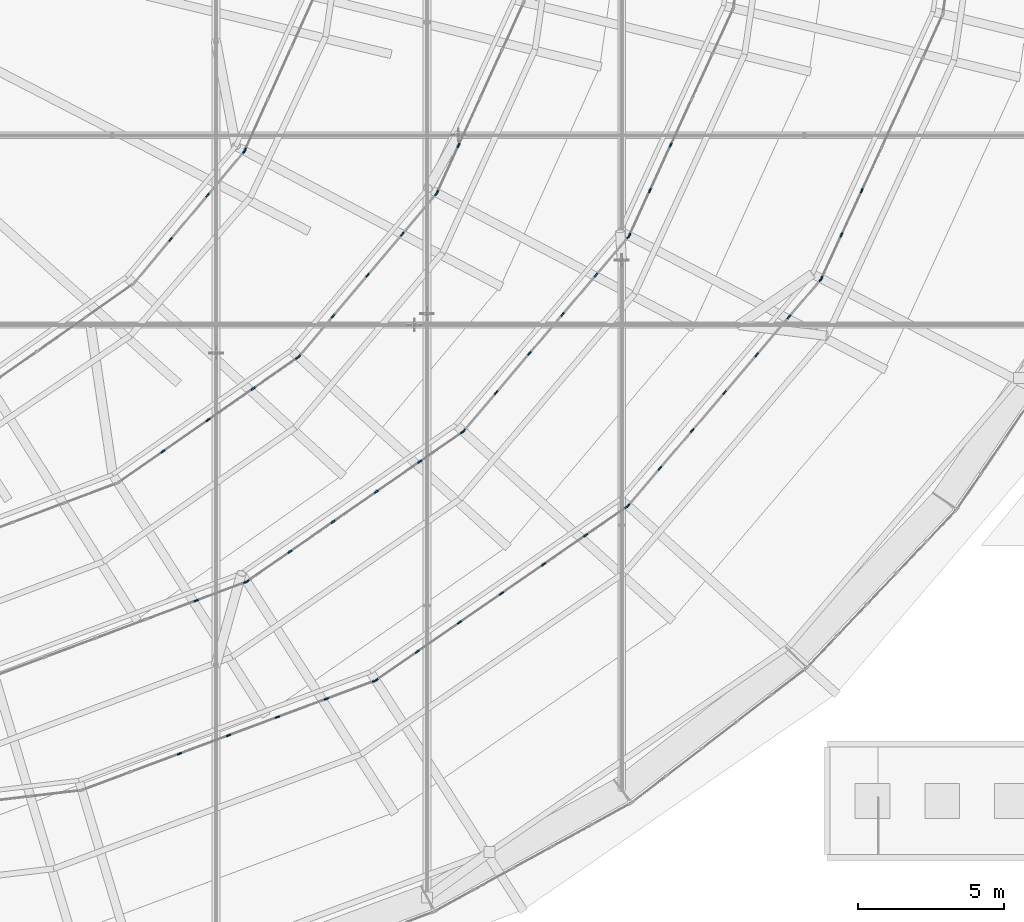
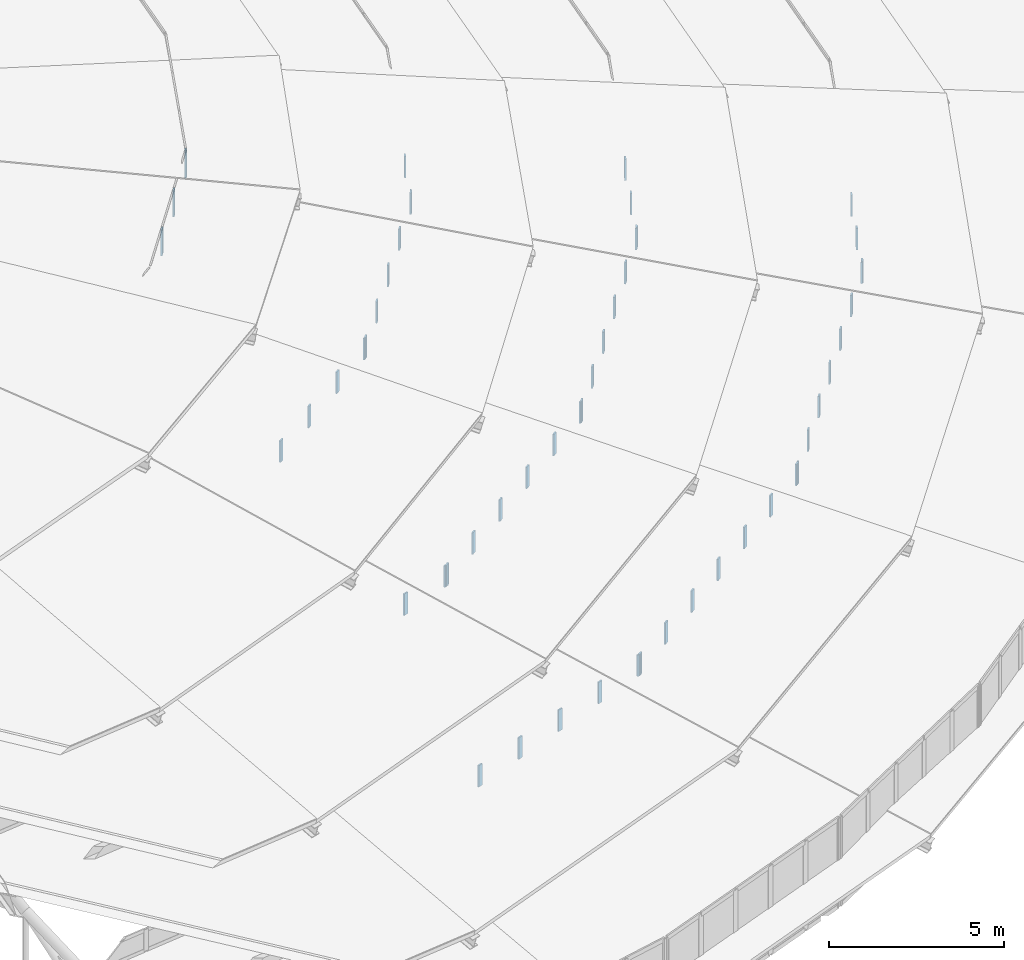
# One storey, part 132 of 173: 54 members, 13 elements without a shape of their own.
"""IFC4 building model written with IfcOpenShell, lengths in metres."""

from ifc_helpers import new_model, si_unit, direction, frame, origin, origin_2d, place, context, subcontext, project, spatial, rectangle, extrude, material, material_profile, profile_set, type_object, element, aggregate, save


model = new_model("IFC4")

# Units and contexts
model_context = context("Model", 3, precision=1e-05, world=origin(), true_north=direction((0.0, 1.0)))
body_context = subcontext(model_context, "Body", "Model", "MODEL_VIEW")
ifc_project = project(units=[si_unit("LENGTHUNIT", "METRE"), si_unit("AREAUNIT", "SQUARE_METRE"), si_unit("VOLUMEUNIT", "CUBIC_METRE"), si_unit("PLANEANGLEUNIT", "RADIAN"), si_unit("MASSUNIT", "GRAM", prefix="KILO")], contexts=[model_context])

# Site, building, storey
site_placement = place(None, origin())
site = spatial("IfcSite", under=ifc_project, at=site_placement, CompositionType="ELEMENT")
building_placement = place(site_placement, origin())
building = spatial("IfcBuilding", under=site, at=building_placement, Name="Glasvene Arena", CompositionType="ELEMENT")
storey_placement = place(building_placement, frame((0.0, 0.0, 28.800048828125)))
storey = spatial("IfcBuildingStorey", under=building, at=storey_placement, Name="RF", CompositionType="ELEMENT", Elevation=28.800048828125)

# Curtain wall, members
ifc_material_1 = material(Name="Low-emissivity laminated double glazing", Category="glass")
curtain_wall_type_1 = type_object("IfcCurtainWallType", Name="CW-PET1-1077x75", PredefinedType="USERDEFINED", material=ifc_material_1)
curtain_wall_1_placement = place(storey_placement, frame((102.83154296875, 36.584716796875, 0.0)))
curtain_wall_1 = element("IfcCurtainWall", 1, at=curtain_wall_1_placement, inside=storey, type_object=curtain_wall_type_1, Name="Petal ring 1-2 clerestory curtain wall 20", ObjectType="CURTAIN WALL", PredefinedType="USERDEFINED")
ifc_material_2 = material(Name="Anodised architectural aluminium", Category="aluminium")
ifc_material_profile = material_profile(ifc_material_2, rectangle(XDim=0.050048828125, YDim=0.159912109375, at=origin_2d()), Name="ALU MULLION 50x160")
ifc_profile_set = profile_set([ifc_material_profile], Name="Anodised architectural aluminium")
member_type = type_object("IfcMemberType", Name="CW-MUL-150", PredefinedType="MULLION", material=ifc_profile_set)
member_1_placement = place(storey_placement, frame((106.196044921875, 37.840087890625, 2.579833984375), z_axis=(0.0, 0.0, 1.0), x_axis=(-0.349591006176, 0.936902411354, 0.0)))
member_1 = element("IfcMember", 2, at=member_1_placement, type_object=member_type, Name="CW-085 mullion 3", PredefinedType="MULLION", context=body_context, shape_type="SweptSolid", body=[
    extrude(rectangle(XDim=0.050048828125, YDim=0.159912109375, at=origin_2d()), origin(), (0.0, 0.0, 1.0), 0.75),
])
member_2_placement = place(storey_placement, frame((107.87841796875, 38.4677734375, 2.579833984375), z_axis=(0.0, 0.0, 1.0), x_axis=(-0.349591006176, 0.936902411354, 0.0)))
member_2 = element("IfcMember", 3, at=member_2_placement, type_object=member_type, Name="CW-085 mullion 4", PredefinedType="MULLION", context=body_context, shape_type="SweptSolid", body=[
    extrude(rectangle(XDim=0.050048828125, YDim=0.159912109375, at=origin_2d()), origin(), (0.0, 0.0, 1.0), 0.75),
])
member_3_placement = place(storey_placement, frame((109.560546875, 39.095458984375, 2.579833984375), z_axis=(0.0, 0.0, 1.0), x_axis=(-0.349591006176, 0.936902411354, 0.0)))
member_3 = element("IfcMember", 4, at=member_3_placement, type_object=member_type, Name="CW-085 mullion 5", PredefinedType="MULLION", context=body_context, shape_type="SweptSolid", body=[
    extrude(rectangle(XDim=0.050048828125, YDim=0.159912109375, at=origin_2d()), origin(), (0.0, 0.0, 1.0), 0.75),
])
member_4_placement = place(storey_placement, frame((111.24267578125, 39.72314453125, 2.579833984375), z_axis=(0.0, 0.0, 1.0), x_axis=(-0.349591006176, 0.936902411354, 0.0)))
member_4 = element("IfcMember", 5, at=member_4_placement, type_object=member_type, Name="CW-085 mullion 6", PredefinedType="MULLION", context=body_context, shape_type="SweptSolid", body=[
    extrude(rectangle(XDim=0.050048828125, YDim=0.159912109375, at=origin_2d()), origin(), (0.0, 0.0, 1.0), 0.75),
])
member_5_placement = place(storey_placement, frame((112.901611328125, 40.342041015625, 2.579833984375), z_axis=(0.0, 0.0, 1.0), x_axis=(-0.349591006176, 0.936902411354, 0.0)))
member_5 = element("IfcMember", 6, at=member_5_placement, type_object=member_type, Name="CW-085 mullion 7", PredefinedType="MULLION", context=body_context, shape_type="SweptSolid", body=[
    extrude(rectangle(XDim=0.050048828125, YDim=0.159912109375, at=origin_2d()), origin(), (0.0, 0.0, 1.0), 0.75),
])
aggregate(curtain_wall_1, [member_1, member_2, member_3, member_4, member_5])

curtain_wall_type_2 = type_object("IfcCurtainWallType", Name="CW-PET1-1054x75", PredefinedType="USERDEFINED", material=ifc_material_1)
curtain_wall_2_placement = place(storey_placement, frame((112.925048828125, 40.350830078125, 0.0)))
curtain_wall_2 = element("IfcCurtainWall", 7, at=curtain_wall_2_placement, inside=storey, type_object=curtain_wall_type_2, Name="Petal ring 1-2 clerestory curtain wall 21", ObjectType="CURTAIN WALL", PredefinedType="USERDEFINED")
member_6_placement = place(storey_placement, frame((112.945556640625, 40.364990234375, 2.579833984375), z_axis=(0.0, 0.0, 1.0), x_axis=(-0.568619089886, 0.822600954666, 0.0)))
member_6 = element("IfcMember", 8, at=member_6_placement, type_object=member_type, Name="CW-084 mullion 1", PredefinedType="MULLION", context=body_context, shape_type="SweptSolid", body=[
    extrude(rectangle(XDim=0.050048828125, YDim=0.159912109375, at=origin_2d()), origin(), (0.0, 0.0, 1.0), 0.75),
])
member_7_placement = place(storey_placement, frame((114.36962890625, 41.349365234375, 2.579833984375), z_axis=(0.0, 0.0, 1.0), x_axis=(-0.568619089886, 0.822600954666, 0.0)))
member_7 = element("IfcMember", 9, at=member_7_placement, type_object=member_type, Name="CW-084 mullion 2", PredefinedType="MULLION", context=body_context, shape_type="SweptSolid", body=[
    extrude(rectangle(XDim=0.050048828125, YDim=0.159912109375, at=origin_2d()), origin(), (0.0, 0.0, 1.0), 0.75),
])
member_8_placement = place(storey_placement, frame((115.814208984375, 42.347900390625, 2.579833984375), z_axis=(0.0, 0.0, 1.0), x_axis=(-0.568619089886, 0.822600954666, 0.0)))
member_8 = element("IfcMember", 10, at=member_8_placement, type_object=member_type, Name="CW-084 mullion 3", PredefinedType="MULLION", context=body_context, shape_type="SweptSolid", body=[
    extrude(rectangle(XDim=0.050048828125, YDim=0.159912109375, at=origin_2d()), origin(), (0.0, 0.0, 1.0), 0.75),
])
member_9_placement = place(storey_placement, frame((117.2587890625, 43.346435546875, 2.579833984375), z_axis=(0.0, 0.0, 1.0), x_axis=(-0.568619089886, 0.822600954666, 0.0)))
member_9 = element("IfcMember", 11, at=member_9_placement, type_object=member_type, Name="CW-084 mullion 4", PredefinedType="MULLION", context=body_context, shape_type="SweptSolid", body=[
    extrude(rectangle(XDim=0.050048828125, YDim=0.159912109375, at=origin_2d()), origin(), (0.0, 0.0, 1.0), 0.75),
])
member_10_placement = place(storey_placement, frame((118.703369140625, 44.344970703125, 2.579833984375), z_axis=(0.0, 0.0, 1.0), x_axis=(-0.568619089886, 0.822600954666, 0.0)))
member_10 = element("IfcMember", 12, at=member_10_placement, type_object=member_type, Name="CW-084 mullion 5", PredefinedType="MULLION", context=body_context, shape_type="SweptSolid", body=[
    extrude(rectangle(XDim=0.050048828125, YDim=0.159912109375, at=origin_2d()), origin(), (0.0, 0.0, 1.0), 0.75),
])
member_11_placement = place(storey_placement, frame((120.14794921875, 45.343505859375, 2.579833984375), z_axis=(0.0, 0.0, 1.0), x_axis=(-0.568619089886, 0.822600954666, 0.0)))
member_11 = element("IfcMember", 13, at=member_11_placement, type_object=member_type, Name="CW-084 mullion 6", PredefinedType="MULLION", context=body_context, shape_type="SweptSolid", body=[
    extrude(rectangle(XDim=0.050048828125, YDim=0.159912109375, at=origin_2d()), origin(), (0.0, 0.0, 1.0), 0.75),
])
member_12_placement = place(storey_placement, frame((121.57177734375, 46.327880859375, 2.579833984375), z_axis=(0.0, 0.0, 1.0), x_axis=(-0.568619089886, 0.822600954666, 0.0)))
member_12 = element("IfcMember", 14, at=member_12_placement, type_object=member_type, Name="CW-084 mullion 7", PredefinedType="MULLION", context=body_context, shape_type="SweptSolid", body=[
    extrude(rectangle(XDim=0.050048828125, YDim=0.159912109375, at=origin_2d()), origin(), (0.0, 0.0, 1.0), 0.75),
])
aggregate(curtain_wall_2, [member_6, member_7, member_8, member_9, member_10, member_11, member_12])

curtain_wall_type_3 = type_object("IfcCurtainWallType", Name="CW-PET1-1026x75", PredefinedType="USERDEFINED", material=ifc_material_1)
curtain_wall_3_placement = place(storey_placement, frame((121.59228515625, 46.342041015625, 0.0)))
curtain_wall_3 = element("IfcCurtainWall", 15, at=curtain_wall_3_placement, inside=storey, type_object=curtain_wall_type_3, Name="Petal ring 1-2 clerestory curtain wall 22", ObjectType="CURTAIN WALL", PredefinedType="USERDEFINED")
member_13_placement = place(storey_placement, frame((121.608642578125, 46.361083984375, 2.579833984375), z_axis=(0.0, 0.0, 1.0), x_axis=(-0.761261234149, 0.648445320272, 0.0)))
member_13 = element("IfcMember", 16, at=member_13_placement, type_object=member_type, Name="CW-083 mullion 1", PredefinedType="MULLION", context=body_context, shape_type="SweptSolid", body=[
    extrude(rectangle(XDim=0.050048828125, YDim=0.159912109375, at=origin_2d()), origin(), (0.0, 0.0, 1.0), 0.75),
])
member_14_placement = place(storey_placement, frame((122.700927734375, 47.643310546875, 2.579833984375), z_axis=(0.0, 0.0, 1.0), x_axis=(-0.761261234149, 0.648445320272, 0.0)))
member_14 = element("IfcMember", 17, at=member_14_placement, type_object=member_type, Name="CW-083 mullion 2", PredefinedType="MULLION", context=body_context, shape_type="SweptSolid", body=[
    extrude(rectangle(XDim=0.050048828125, YDim=0.159912109375, at=origin_2d()), origin(), (0.0, 0.0, 1.0), 0.75),
])
member_15_placement = place(storey_placement, frame((123.809326171875, 48.94482421875, 2.579833984375), z_axis=(0.0, 0.0, 1.0), x_axis=(-0.761261234149, 0.648445320272, 0.0)))
member_15 = element("IfcMember", 18, at=member_15_placement, type_object=member_type, Name="CW-083 mullion 3", PredefinedType="MULLION", context=body_context, shape_type="SweptSolid", body=[
    extrude(rectangle(XDim=0.050048828125, YDim=0.159912109375, at=origin_2d()), origin(), (0.0, 0.0, 1.0), 0.75),
])
member_16_placement = place(storey_placement, frame((124.917724609375, 50.24609375, 2.579833984375), z_axis=(0.0, 0.0, 1.0), x_axis=(-0.761261234149, 0.648445320272, 0.0)))
member_16 = element("IfcMember", 19, at=member_16_placement, type_object=member_type, Name="CW-083 mullion 4", PredefinedType="MULLION", context=body_context, shape_type="SweptSolid", body=[
    extrude(rectangle(XDim=0.050048828125, YDim=0.159912109375, at=origin_2d()), origin(), (0.0, 0.0, 1.0), 0.75),
])
member_17_placement = place(storey_placement, frame((126.0263671875, 51.54736328125, 2.579833984375), z_axis=(0.0, 0.0, 1.0), x_axis=(-0.761261234149, 0.648445320272, 0.0)))
member_17 = element("IfcMember", 20, at=member_17_placement, type_object=member_type, Name="CW-083 mullion 5", PredefinedType="MULLION", context=body_context, shape_type="SweptSolid", body=[
    extrude(rectangle(XDim=0.050048828125, YDim=0.159912109375, at=origin_2d()), origin(), (0.0, 0.0, 1.0), 0.75),
])
member_18_placement = place(storey_placement, frame((127.134765625, 52.8486328125, 2.579833984375), z_axis=(0.0, 0.0, 1.0), x_axis=(-0.761261234149, 0.648445320272, 0.0)))
member_18 = element("IfcMember", 21, at=member_18_placement, type_object=member_type, Name="CW-083 mullion 6", PredefinedType="MULLION", context=body_context, shape_type="SweptSolid", body=[
    extrude(rectangle(XDim=0.050048828125, YDim=0.159912109375, at=origin_2d()), origin(), (0.0, 0.0, 1.0), 0.75),
])
member_19_placement = place(storey_placement, frame((128.22705078125, 54.130859375, 2.579833984375), z_axis=(0.0, 0.0, 1.0), x_axis=(-0.761261234149, 0.648445320272, 0.0)))
member_19 = element("IfcMember", 22, at=member_19_placement, type_object=member_type, Name="CW-083 mullion 7", PredefinedType="MULLION", context=body_context, shape_type="SweptSolid", body=[
    extrude(rectangle(XDim=0.050048828125, YDim=0.159912109375, at=origin_2d()), origin(), (0.0, 0.0, 1.0), 0.75),
])
aggregate(curtain_wall_3, [member_13, member_14, member_15, member_16, member_17, member_18, member_19])

curtain_wall_type_4 = type_object("IfcCurtainWallType", Name="CW-PET1-1001x75", PredefinedType="USERDEFINED", material=ifc_material_1)
curtain_wall_4_placement = place(storey_placement, frame((128.2431640625, 54.14990234375, 0.0)))
curtain_wall_4 = element("IfcCurtainWall", 23, at=curtain_wall_4_placement, inside=storey, type_object=curtain_wall_type_4, Name="Petal ring 1-2 clerestory curtain wall 23", ObjectType="CURTAIN WALL", PredefinedType="USERDEFINED")
member_20_placement = place(storey_placement, frame((128.253662109375, 54.172607421875, 2.579833984375), z_axis=(0.0, 0.0, 1.0), x_axis=(-0.908556831634, 0.41776127596, 0.0)))
member_20 = element("IfcMember", 24, at=member_20_placement, type_object=member_type, Name="CW-082 mullion 1", PredefinedType="MULLION", context=body_context, shape_type="SweptSolid", body=[
    extrude(rectangle(XDim=0.050048828125, YDim=0.159912109375, at=origin_2d()), origin(), (0.0, 0.0, 1.0), 0.75),
])
member_21_placement = place(storey_placement, frame((128.93994140625, 55.66552734375, 2.579833984375), z_axis=(0.0, 0.0, 1.0), x_axis=(-0.908556831634, 0.41776127596, 0.0)))
member_21 = element("IfcMember", 25, at=member_21_placement, type_object=member_type, Name="CW-082 mullion 2", PredefinedType="MULLION", context=body_context, shape_type="SweptSolid", body=[
    extrude(rectangle(XDim=0.050048828125, YDim=0.159912109375, at=origin_2d()), origin(), (0.0, 0.0, 1.0), 0.75),
])
member_22_placement = place(storey_placement, frame((129.63671875, 57.180908203125, 2.579833984375), z_axis=(0.0, 0.0, 1.0), x_axis=(-0.908556831634, 0.41776127596, 0.0)))
member_22 = element("IfcMember", 26, at=member_22_placement, type_object=member_type, Name="CW-082 mullion 3", PredefinedType="MULLION", context=body_context, shape_type="SweptSolid", body=[
    extrude(rectangle(XDim=0.050048828125, YDim=0.159912109375, at=origin_2d()), origin(), (0.0, 0.0, 1.0), 0.75),
])
aggregate(curtain_wall_4, [member_20, member_21, member_22])

curtain_wall_type_5 = type_object("IfcCurtainWallType", Name="CW-PET2-925x75", PredefinedType="USERDEFINED", material=ifc_material_1)
curtain_wall_5_placement = place(storey_placement, frame((99.841552734375, 40.505615234375, 0.0)))
curtain_wall_5 = element("IfcCurtainWall", 27, at=curtain_wall_5_placement, inside=storey, type_object=curtain_wall_type_5, Name="Petal ring 2-3 clerestory curtain wall 20", ObjectType="CURTAIN WALL", PredefinedType="USERDEFINED")
member_23_placement = place(storey_placement, frame((106.768310546875, 43.09912109375, 5.179931640625), z_axis=(0.0, 0.0, 1.0), x_axis=(-0.350639776971, 0.936510409342, 0.0)))
member_23 = element("IfcMember", 28, at=member_23_placement, type_object=member_type, Name="CW-091 mullion 5", PredefinedType="MULLION", context=body_context, shape_type="SweptSolid", body=[
    extrude(rectangle(XDim=0.050048828125, YDim=0.159912109375, at=origin_2d()), origin(), (0.0, 0.0, 1.0), 0.75),
])
member_24_placement = place(storey_placement, frame((108.4765625, 43.73876953125, 5.179931640625), z_axis=(0.0, 0.0, 1.0), x_axis=(-0.350639776971, 0.936510409342, 0.0)))
member_24 = element("IfcMember", 29, at=member_24_placement, type_object=member_type, Name="CW-091 mullion 6", PredefinedType="MULLION", context=body_context, shape_type="SweptSolid", body=[
    extrude(rectangle(XDim=0.050048828125, YDim=0.159912109375, at=origin_2d()), origin(), (0.0, 0.0, 1.0), 0.75),
])
aggregate(curtain_wall_5, [member_23, member_24])

curtain_wall_type_6 = type_object("IfcCurtainWallType", Name="CW-PET2-905x75", PredefinedType="USERDEFINED", material=ifc_material_1)
curtain_wall_6_placement = place(storey_placement, frame((108.5, 43.74755859375, 0.0)))
curtain_wall_6 = element("IfcCurtainWall", 30, at=curtain_wall_6_placement, inside=storey, type_object=curtain_wall_type_6, Name="Petal ring 2-3 clerestory curtain wall 21", ObjectType="CURTAIN WALL", PredefinedType="USERDEFINED")
member_25_placement = place(storey_placement, frame((108.5205078125, 43.76171875, 5.179931640625), z_axis=(0.0, 0.0, 1.0), x_axis=(-0.569921225109, 0.821699335018, 0.0)))
member_25 = element("IfcMember", 31, at=member_25_placement, type_object=member_type, Name="CW-090 mullion 1", PredefinedType="MULLION", context=body_context, shape_type="SweptSolid", body=[
    extrude(rectangle(XDim=0.050048828125, YDim=0.159912109375, at=origin_2d()), origin(), (0.0, 0.0, 1.0), 0.75),
])
member_26_placement = place(storey_placement, frame((109.987060546875, 44.77880859375, 5.179931640625), z_axis=(0.0, 0.0, 1.0), x_axis=(-0.569921225109, 0.821699335018, 0.0)))
member_26 = element("IfcMember", 32, at=member_26_placement, type_object=member_type, Name="CW-090 mullion 2", PredefinedType="MULLION", context=body_context, shape_type="SweptSolid", body=[
    extrude(rectangle(XDim=0.050048828125, YDim=0.159912109375, at=origin_2d()), origin(), (0.0, 0.0, 1.0), 0.75),
])
member_27_placement = place(storey_placement, frame((111.47412109375, 45.810302734375, 5.179931640625), z_axis=(0.0, 0.0, 1.0), x_axis=(-0.569921225109, 0.821699335018, 0.0)))
member_27 = element("IfcMember", 33, at=member_27_placement, type_object=member_type, Name="CW-090 mullion 3", PredefinedType="MULLION", context=body_context, shape_type="SweptSolid", body=[
    extrude(rectangle(XDim=0.050048828125, YDim=0.159912109375, at=origin_2d()), origin(), (0.0, 0.0, 1.0), 0.75),
])
member_28_placement = place(storey_placement, frame((112.961181640625, 46.841552734375, 5.179931640625), z_axis=(0.0, 0.0, 1.0), x_axis=(-0.569921225109, 0.821699335018, 0.0)))
member_28 = element("IfcMember", 34, at=member_28_placement, type_object=member_type, Name="CW-090 mullion 4", PredefinedType="MULLION", context=body_context, shape_type="SweptSolid", body=[
    extrude(rectangle(XDim=0.050048828125, YDim=0.159912109375, at=origin_2d()), origin(), (0.0, 0.0, 1.0), 0.75),
])
member_29_placement = place(storey_placement, frame((114.447998046875, 47.873046875, 5.179931640625), z_axis=(0.0, 0.0, 1.0), x_axis=(-0.569921225109, 0.821699335018, 0.0)))
member_29 = element("IfcMember", 35, at=member_29_placement, type_object=member_type, Name="CW-090 mullion 5", PredefinedType="MULLION", context=body_context, shape_type="SweptSolid", body=[
    extrude(rectangle(XDim=0.050048828125, YDim=0.159912109375, at=origin_2d()), origin(), (0.0, 0.0, 1.0), 0.75),
])
member_30_placement = place(storey_placement, frame((115.91455078125, 48.89013671875, 5.179931640625), z_axis=(0.0, 0.0, 1.0), x_axis=(-0.569921225109, 0.821699335018, 0.0)))
member_30 = element("IfcMember", 36, at=member_30_placement, type_object=member_type, Name="CW-090 mullion 6", PredefinedType="MULLION", context=body_context, shape_type="SweptSolid", body=[
    extrude(rectangle(XDim=0.050048828125, YDim=0.159912109375, at=origin_2d()), origin(), (0.0, 0.0, 1.0), 0.75),
])
aggregate(curtain_wall_6, [member_25, member_26, member_27, member_28, member_29, member_30])

curtain_wall_type_7 = type_object("IfcCurtainWallType", Name="CW-PET2-882x75", PredefinedType="USERDEFINED", material=ifc_material_1)
curtain_wall_7_placement = place(storey_placement, frame((115.93505859375, 48.904296875, 0.0)))
curtain_wall_7 = element("IfcCurtainWall", 37, at=curtain_wall_7_placement, inside=storey, type_object=curtain_wall_type_7, Name="Petal ring 2-3 clerestory curtain wall 22", ObjectType="CURTAIN WALL", PredefinedType="USERDEFINED")
member_31_placement = place(storey_placement, frame((115.951171875, 48.92333984375, 5.179931640625), z_axis=(0.0, 0.0, 1.0), x_axis=(-0.762348353305, 0.647166893632, 0.0)))
member_31 = element("IfcMember", 38, at=member_31_placement, type_object=member_type, Name="CW-089 mullion 1", PredefinedType="MULLION", context=body_context, shape_type="SweptSolid", body=[
    extrude(rectangle(XDim=0.050048828125, YDim=0.159912109375, at=origin_2d()), origin(), (0.0, 0.0, 1.0), 0.75),
])
member_32_placement = place(storey_placement, frame((117.076171875, 50.24853515625, 5.179931640625), z_axis=(0.0, 0.0, 1.0), x_axis=(-0.762348353305, 0.647166893632, 0.0)))
member_32 = element("IfcMember", 39, at=member_32_placement, type_object=member_type, Name="CW-089 mullion 2", PredefinedType="MULLION", context=body_context, shape_type="SweptSolid", body=[
    extrude(rectangle(XDim=0.050048828125, YDim=0.159912109375, at=origin_2d()), origin(), (0.0, 0.0, 1.0), 0.75),
])
member_33_placement = place(storey_placement, frame((118.21728515625, 51.592529296875, 5.179931640625), z_axis=(0.0, 0.0, 1.0), x_axis=(-0.762348353305, 0.647166893632, 0.0)))
member_33 = element("IfcMember", 40, at=member_33_placement, type_object=member_type, Name="CW-089 mullion 3", PredefinedType="MULLION", context=body_context, shape_type="SweptSolid", body=[
    extrude(rectangle(XDim=0.050048828125, YDim=0.159912109375, at=origin_2d()), origin(), (0.0, 0.0, 1.0), 0.75),
])
member_34_placement = place(storey_placement, frame((119.358154296875, 52.936767578125, 5.179931640625), z_axis=(0.0, 0.0, 1.0), x_axis=(-0.762348353305, 0.647166893632, 0.0)))
member_34 = element("IfcMember", 41, at=member_34_placement, type_object=member_type, Name="CW-089 mullion 4", PredefinedType="MULLION", context=body_context, shape_type="SweptSolid", body=[
    extrude(rectangle(XDim=0.050048828125, YDim=0.159912109375, at=origin_2d()), origin(), (0.0, 0.0, 1.0), 0.75),
])
member_35_placement = place(storey_placement, frame((120.499267578125, 54.28076171875, 5.179931640625), z_axis=(0.0, 0.0, 1.0), x_axis=(-0.762348353305, 0.647166893632, 0.0)))
member_35 = element("IfcMember", 42, at=member_35_placement, type_object=member_type, Name="CW-089 mullion 5", PredefinedType="MULLION", context=body_context, shape_type="SweptSolid", body=[
    extrude(rectangle(XDim=0.050048828125, YDim=0.159912109375, at=origin_2d()), origin(), (0.0, 0.0, 1.0), 0.75),
])
member_36_placement = place(storey_placement, frame((121.6240234375, 55.60595703125, 5.179931640625), z_axis=(0.0, 0.0, 1.0), x_axis=(-0.762348353305, 0.647166893632, 0.0)))
member_36 = element("IfcMember", 43, at=member_36_placement, type_object=member_type, Name="CW-089 mullion 6", PredefinedType="MULLION", context=body_context, shape_type="SweptSolid", body=[
    extrude(rectangle(XDim=0.050048828125, YDim=0.159912109375, at=origin_2d()), origin(), (0.0, 0.0, 1.0), 0.75),
])
aggregate(curtain_wall_7, [member_31, member_32, member_33, member_34, member_35, member_36])

curtain_wall_type_8 = type_object("IfcCurtainWallType", Name="CW-PET2-861x75", PredefinedType="USERDEFINED", material=ifc_material_1)
curtain_wall_8_placement = place(storey_placement, frame((121.640380859375, 55.625, 0.0)))
curtain_wall_8 = element("IfcCurtainWall", 44, at=curtain_wall_8_placement, inside=storey, type_object=curtain_wall_type_8, Name="Petal ring 2-3 clerestory curtain wall 23", ObjectType="CURTAIN WALL", PredefinedType="USERDEFINED")
member_37_placement = place(storey_placement, frame((121.650634765625, 55.647705078125, 5.179931640625), z_axis=(0.0, 0.0, 1.0), x_axis=(-0.909093602111, 0.416591913749, 0.0)))
member_37 = element("IfcMember", 45, at=member_37_placement, type_object=member_type, Name="CW-088 mullion 1", PredefinedType="MULLION", context=body_context, shape_type="SweptSolid", body=[
    extrude(rectangle(XDim=0.050048828125, YDim=0.159912109375, at=origin_2d()), origin(), (0.0, 0.0, 1.0), 0.75),
])
member_38_placement = place(storey_placement, frame((122.357666015625, 57.190185546875, 5.179931640625), z_axis=(0.0, 0.0, 1.0), x_axis=(-0.909093602111, 0.416591913749, 0.0)))
member_38 = element("IfcMember", 46, at=member_38_placement, type_object=member_type, Name="CW-088 mullion 2", PredefinedType="MULLION", context=body_context, shape_type="SweptSolid", body=[
    extrude(rectangle(XDim=0.050048828125, YDim=0.159912109375, at=origin_2d()), origin(), (0.0, 0.0, 1.0), 0.75),
])
member_39_placement = place(storey_placement, frame((123.074951171875, 58.755615234375, 5.179931640625), z_axis=(0.0, 0.0, 1.0), x_axis=(-0.909093602111, 0.416591913749, 0.0)))
member_39 = element("IfcMember", 47, at=member_39_placement, type_object=member_type, Name="CW-088 mullion 3", PredefinedType="MULLION", context=body_context, shape_type="SweptSolid", body=[
    extrude(rectangle(XDim=0.050048828125, YDim=0.159912109375, at=origin_2d()), origin(), (0.0, 0.0, 1.0), 0.75),
])
aggregate(curtain_wall_8, [member_37, member_38, member_39])

curtain_wall_type_9 = type_object("IfcCurtainWallType", Name="CW-PET3-756x75", PredefinedType="USERDEFINED", material=ifc_material_1)
curtain_wall_9_placement = place(storey_placement, frame((104.074951171875, 47.14404296875, 0.0)))
curtain_wall_9 = element("IfcCurtainWall", 48, at=curtain_wall_9_placement, inside=storey, type_object=curtain_wall_type_9, Name="Petal ring 3-4 clerestory curtain wall 21", ObjectType="CURTAIN WALL", PredefinedType="USERDEFINED")
member_40_placement = place(storey_placement, frame((105.625732421875, 48.224853515625, 7.829833984375), z_axis=(0.0, 0.0, 1.0), x_axis=(-0.571742483725, 0.82043313701, 0.0)))
member_40 = element("IfcMember", 49, at=member_40_placement, type_object=member_type, Name="CW-096 mullion 2", PredefinedType="MULLION", context=body_context, shape_type="SweptSolid", body=[
    extrude(rectangle(XDim=0.050048828125, YDim=0.159912109375, at=origin_2d()), origin(), (0.0, 0.0, 1.0), 0.75),
])
member_41_placement = place(storey_placement, frame((107.176513671875, 49.305419921875, 7.829833984375), z_axis=(0.0, 0.0, 1.0), x_axis=(-0.571742483725, 0.82043313701, 0.0)))
member_41 = element("IfcMember", 50, at=member_41_placement, type_object=member_type, Name="CW-096 mullion 3", PredefinedType="MULLION", context=body_context, shape_type="SweptSolid", body=[
    extrude(rectangle(XDim=0.050048828125, YDim=0.159912109375, at=origin_2d()), origin(), (0.0, 0.0, 1.0), 0.75),
])
member_42_placement = place(storey_placement, frame((108.72705078125, 50.385986328125, 7.829833984375), z_axis=(0.0, 0.0, 1.0), x_axis=(-0.571742483725, 0.82043313701, 0.0)))
member_42 = element("IfcMember", 51, at=member_42_placement, type_object=member_type, Name="CW-096 mullion 4", PredefinedType="MULLION", context=body_context, shape_type="SweptSolid", body=[
    extrude(rectangle(XDim=0.050048828125, YDim=0.159912109375, at=origin_2d()), origin(), (0.0, 0.0, 1.0), 0.75),
])
member_43_placement = place(storey_placement, frame((110.25732421875, 51.452392578125, 7.829833984375), z_axis=(0.0, 0.0, 1.0), x_axis=(-0.571742483725, 0.82043313701, 0.0)))
member_43 = element("IfcMember", 52, at=member_43_placement, type_object=member_type, Name="CW-096 mullion 5", PredefinedType="MULLION", context=body_context, shape_type="SweptSolid", body=[
    extrude(rectangle(XDim=0.050048828125, YDim=0.159912109375, at=origin_2d()), origin(), (0.0, 0.0, 1.0), 0.75),
])
aggregate(curtain_wall_9, [member_40, member_41, member_42, member_43])

curtain_wall_type_10 = type_object("IfcCurtainWallType", Name="CW-PET3-737x75", PredefinedType="USERDEFINED", material=ifc_material_1)
curtain_wall_10_placement = place(storey_placement, frame((110.27783203125, 51.466796875, 0.0)))
curtain_wall_10 = element("IfcCurtainWall", 53, at=curtain_wall_10_placement, inside=storey, type_object=curtain_wall_type_10, Name="Petal ring 3-4 clerestory curtain wall 22", ObjectType="CURTAIN WALL", PredefinedType="USERDEFINED")
member_44_placement = place(storey_placement, frame((110.2939453125, 51.48583984375, 7.829833984375), z_axis=(0.0, 0.0, 1.0), x_axis=(-0.763850012044, 0.645393801566, 0.0)))
member_44 = element("IfcMember", 54, at=member_44_placement, type_object=member_type, Name="CW-095 mullion 1", PredefinedType="MULLION", context=body_context, shape_type="SweptSolid", body=[
    extrude(rectangle(XDim=0.050048828125, YDim=0.159912109375, at=origin_2d()), origin(), (0.0, 0.0, 1.0), 0.75),
])
member_45_placement = place(storey_placement, frame((111.4677734375, 52.875, 7.829833984375), z_axis=(0.0, 0.0, 1.0), x_axis=(-0.763850012044, 0.645393801566, 0.0)))
member_45 = element("IfcMember", 55, at=member_45_placement, type_object=member_type, Name="CW-095 mullion 2", PredefinedType="MULLION", context=body_context, shape_type="SweptSolid", body=[
    extrude(rectangle(XDim=0.050048828125, YDim=0.159912109375, at=origin_2d()), origin(), (0.0, 0.0, 1.0), 0.75),
])
member_46_placement = place(storey_placement, frame((112.65771484375, 54.283447265625, 7.829833984375), z_axis=(0.0, 0.0, 1.0), x_axis=(-0.763850012044, 0.645393801566, 0.0)))
member_46 = element("IfcMember", 56, at=member_46_placement, type_object=member_type, Name="CW-095 mullion 3", PredefinedType="MULLION", context=body_context, shape_type="SweptSolid", body=[
    extrude(rectangle(XDim=0.050048828125, YDim=0.159912109375, at=origin_2d()), origin(), (0.0, 0.0, 1.0), 0.75),
])
member_47_placement = place(storey_placement, frame((113.84765625, 55.691650390625, 7.829833984375), z_axis=(0.0, 0.0, 1.0), x_axis=(-0.763850012044, 0.645393801566, 0.0)))
member_47 = element("IfcMember", 57, at=member_47_placement, type_object=member_type, Name="CW-095 mullion 4", PredefinedType="MULLION", context=body_context, shape_type="SweptSolid", body=[
    extrude(rectangle(XDim=0.050048828125, YDim=0.159912109375, at=origin_2d()), origin(), (0.0, 0.0, 1.0), 0.75),
])
member_48_placement = place(storey_placement, frame((115.021484375, 57.080810546875, 7.829833984375), z_axis=(0.0, 0.0, 1.0), x_axis=(-0.763850012044, 0.645393801566, 0.0)))
member_48 = element("IfcMember", 58, at=member_48_placement, type_object=member_type, Name="CW-095 mullion 5", PredefinedType="MULLION", context=body_context, shape_type="SweptSolid", body=[
    extrude(rectangle(XDim=0.050048828125, YDim=0.159912109375, at=origin_2d()), origin(), (0.0, 0.0, 1.0), 0.75),
])
aggregate(curtain_wall_10, [member_44, member_45, member_46, member_47, member_48])

curtain_wall_type_11 = type_object("IfcCurtainWallType", Name="CW-PET3-721x75", PredefinedType="USERDEFINED", material=ifc_material_1)
curtain_wall_11_placement = place(storey_placement, frame((115.03759765625, 57.10009765625, 0.0)))
curtain_wall_11 = element("IfcCurtainWall", 59, at=curtain_wall_11_placement, inside=storey, type_object=curtain_wall_type_11, Name="Petal ring 3-4 clerestory curtain wall 23", ObjectType="CURTAIN WALL", PredefinedType="USERDEFINED")
member_49_placement = place(storey_placement, frame((115.0478515625, 57.122802734375, 7.829833984375), z_axis=(0.0, 0.0, 1.0), x_axis=(-0.909836135842, 0.414967716717, 0.0)))
member_49 = element("IfcMember", 60, at=member_49_placement, type_object=member_type, Name="CW-094 mullion 1", PredefinedType="MULLION", context=body_context, shape_type="SweptSolid", body=[
    extrude(rectangle(XDim=0.050048828125, YDim=0.159912109375, at=origin_2d()), origin(), (0.0, 0.0, 1.0), 0.75),
])
member_50_placement = place(storey_placement, frame((115.785400390625, 58.739990234375, 7.829833984375), z_axis=(0.0, 0.0, 1.0), x_axis=(-0.909836135842, 0.414967716717, 0.0)))
member_50 = element("IfcMember", 61, at=member_50_placement, type_object=member_type, Name="CW-094 mullion 2", PredefinedType="MULLION", context=body_context, shape_type="SweptSolid", body=[
    extrude(rectangle(XDim=0.050048828125, YDim=0.159912109375, at=origin_2d()), origin(), (0.0, 0.0, 1.0), 0.75),
])
aggregate(curtain_wall_11, [member_49, member_50])

curtain_wall_type_12 = type_object("IfcCurtainWallType", Name="CW-PET4-594x92", PredefinedType="USERDEFINED", material=ifc_material_1)
curtain_wall_12_placement = place(storey_placement, frame((104.62060546875, 53.99365234375, 0.0)))
curtain_wall_12 = element("IfcCurtainWall", 62, at=curtain_wall_12_placement, inside=storey, type_object=curtain_wall_type_12, Name="Petal ring 4-5 clerestory curtain wall 22", ObjectType="CURTAIN WALL", PredefinedType="USERDEFINED")
member_51_placement = place(storey_placement, frame((105.891845703125, 55.512451171875, 10.530029296875), z_axis=(0.0, 0.0, 1.0), x_axis=(-0.766805446496, 0.64187958935, 0.0)))
member_51 = element("IfcMember", 63, at=member_51_placement, type_object=member_type, Name="CW-101 mullion 2", PredefinedType="MULLION", context=body_context, shape_type="SweptSolid", body=[
    extrude(rectangle(XDim=0.050048828125, YDim=0.159912109375, at=origin_2d()), origin(), (0.0, 0.0, 1.0), 0.916015625),
])
member_52_placement = place(storey_placement, frame((107.163330078125, 57.03125, 10.530029296875), z_axis=(0.0, 0.0, 1.0), x_axis=(-0.766805446496, 0.64187958935, 0.0)))
member_52 = element("IfcMember", 64, at=member_52_placement, type_object=member_type, Name="CW-101 mullion 3", PredefinedType="MULLION", context=body_context, shape_type="SweptSolid", body=[
    extrude(rectangle(XDim=0.050048828125, YDim=0.159912109375, at=origin_2d()), origin(), (0.0, 0.0, 1.0), 0.916015625),
])
member_53_placement = place(storey_placement, frame((108.41845703125, 58.53076171875, 10.530029296875), z_axis=(0.0, 0.0, 1.0), x_axis=(-0.766805446496, 0.64187958935, 0.0)))
member_53 = element("IfcMember", 65, at=member_53_placement, type_object=member_type, Name="CW-101 mullion 4", PredefinedType="MULLION", context=body_context, shape_type="SweptSolid", body=[
    extrude(rectangle(XDim=0.050048828125, YDim=0.159912109375, at=origin_2d()), origin(), (0.0, 0.0, 1.0), 0.916015625),
])
aggregate(curtain_wall_12, [member_51, member_52, member_53])

# Curtain wall, member
curtain_wall_type_13 = type_object("IfcCurtainWallType", Name="CW-PET4-582x92", PredefinedType="USERDEFINED", material=ifc_material_1)
curtain_wall_13_placement = place(storey_placement, frame((108.4345703125, 58.550048828125, 0.0)))
curtain_wall_13 = element("IfcCurtainWall", 66, at=curtain_wall_13_placement, inside=storey, type_object=curtain_wall_type_13, Name="Petal ring 4-5 clerestory curtain wall 23", ObjectType="CURTAIN WALL", PredefinedType="USERDEFINED")
member_54_placement = place(storey_placement, frame((108.44482421875, 58.57275390625, 10.530029296875), z_axis=(0.0, 0.0, 1.0), x_axis=(-0.911284127649, 0.411778142566, 0.0)))
member_54 = element("IfcMember", 67, at=member_54_placement, type_object=member_type, Name="CW-100 mullion 1", PredefinedType="MULLION", context=body_context, shape_type="SweptSolid", body=[
    extrude(rectangle(XDim=0.050048828125, YDim=0.159912109375, at=origin_2d()), origin(), (0.0, 0.0, 1.0), 0.916015625),
])
aggregate(curtain_wall_13, [member_54])

save(model, "model.ifc")
